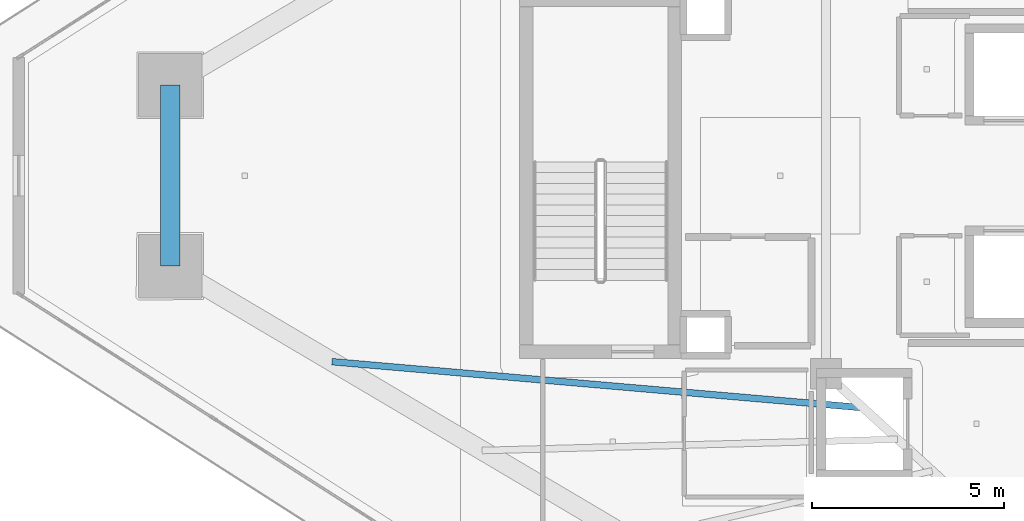
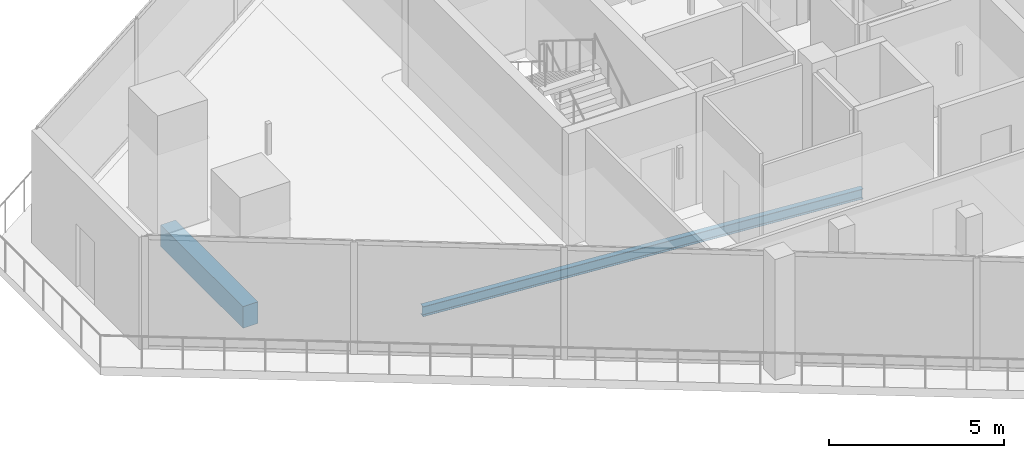
# One storey, part 7 of 31: 2 beams.
"""IFC4 building model written with IfcOpenShell, lengths in metres."""

from ifc_helpers import new_model, si_unit, direction, frame, origin, origin_2d, place, context, subcontext, project, spatial, rectangle, i_section, extrude, material, material_profile, profile_set, type_object, element, save


model = new_model("IFC4")

# Units and contexts
model_context = context("Model", 3, precision=1e-05, world=origin(), true_north=direction((0.0, 1.0)))
body_context = subcontext(model_context, "Body", "Model", "MODEL_VIEW")
ifc_project = project(units=[si_unit("LENGTHUNIT", "METRE"), si_unit("AREAUNIT", "SQUARE_METRE"), si_unit("VOLUMEUNIT", "CUBIC_METRE"), si_unit("PLANEANGLEUNIT", "RADIAN"), si_unit("MASSUNIT", "GRAM", prefix="KILO")], contexts=[model_context])

# Site, building, storey
site_placement = place(None, origin())
site = spatial("IfcSite", under=ifc_project, at=site_placement, CompositionType="ELEMENT")
building_placement = place(site_placement, origin())
building = spatial("IfcBuilding", under=site, at=building_placement, Name="Qorvath Tower", CompositionType="ELEMENT")
storey_placement = place(building_placement, frame((0.0, 0.0, 264.0)))
storey = spatial("IfcBuildingStorey", under=building, at=storey_placement, Name="L61", CompositionType="ELEMENT", Elevation=264.0)

# Beams
ifc_material_1 = material(Name="Steel ASTM A992 Grade 50", Category="steel")
ifc_material_profile_1 = material_profile(ifc_material_1, i_section(OverallWidth=0.1708984375, OverallDepth=0.35107421875, WebThickness=0.0068359375, FlangeThickness=0.009765625, FilletRadius=0.010009765625, at=origin_2d()), Name="W14x30")
ifc_profile_set_1 = profile_set([ifc_material_profile_1], Name="Steel ASTM A992 Grade 50")
beam_type_1 = type_object("IfcBeamType", Name="BM-FJ4", PredefinedType="JOIST", material=ifc_profile_set_1)
beam_1_placement = place(storey_placement, frame((-29.533935546875, -6.031982421875, -0.465576171875), z_axis=(-0.996257895131, 0.086430355719, 0.0), x_axis=(-0.086430355719, -0.996257895131, 0.0)))
element("IfcBeam", 1, at=beam_1_placement, inside=storey, type_object=beam_type_1, Name="Composite Floor Joist SW1 L61", PredefinedType="JOIST", context=body_context, shape_type="SweptSolid", body=[
    extrude(i_section(OverallWidth=0.1708984375, OverallDepth=0.35107421875, WebThickness=0.0068359375, FlangeThickness=0.009765625, FilletRadius=0.010009765625, at=origin_2d()), origin(), (0.0, 0.0, 1.0), 13.852294921875),
])
ifc_material_2 = material(Name="Concrete C45/55", Category="concrete")
ifc_material_profile_2 = material_profile(ifc_material_2, rectangle(XDim=0.5, YDim=0.75, at=origin_2d()), Name="RCB 750x500")
ifc_profile_set_2 = profile_set([ifc_material_profile_2], Name="Concrete C45/55")
beam_type_2 = type_object("IfcBeamType", Name="BM-RCB3", PredefinedType="SPANDREL", material=ifc_profile_set_2)
beam_2_placement = place(storey_placement, frame((-47.53759765625, 2.349609375, -0.6650390625), z_axis=(0.0, -1.0, 0.0), x_axis=(1.0, 0.0, 0.0)))
element("IfcBeam", 2, at=beam_2_placement, inside=storey, type_object=beam_type_2, Name="Perimeter Loggia Frame Beam MC1-MC2 L61", PredefinedType="SPANDREL", context=body_context, shape_type="SweptSolid", body=[
    extrude(rectangle(XDim=0.5, YDim=0.75, at=origin_2d()), origin(), (0.0, 0.0, 1.0), 4.69921875),
])

save(model, "model.ifc")
